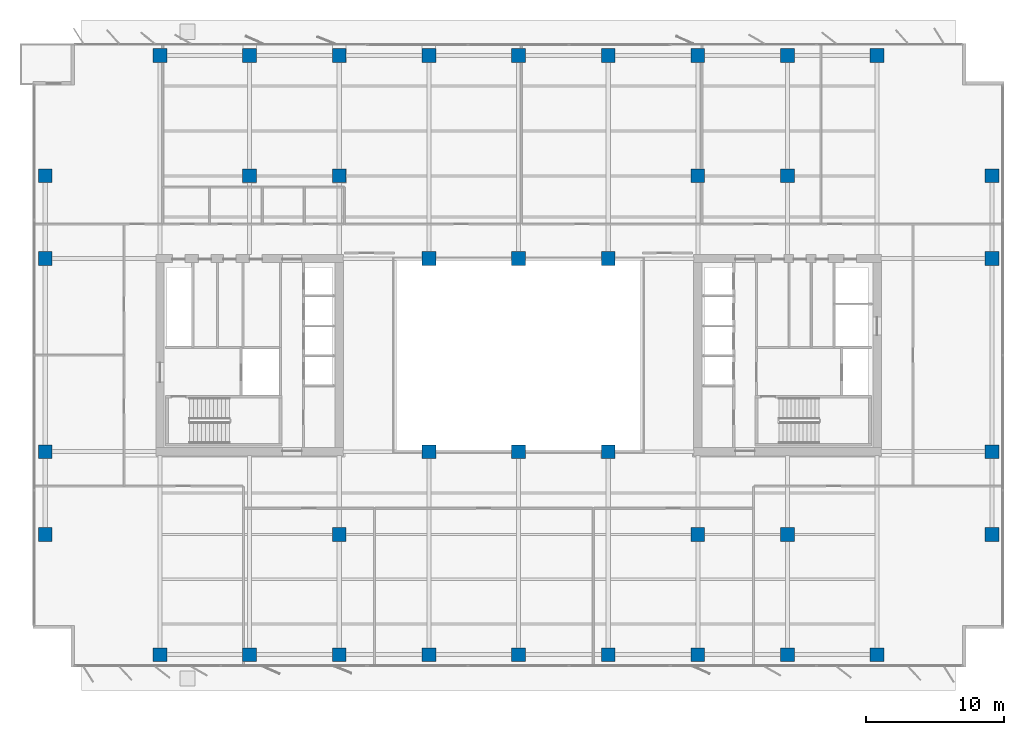
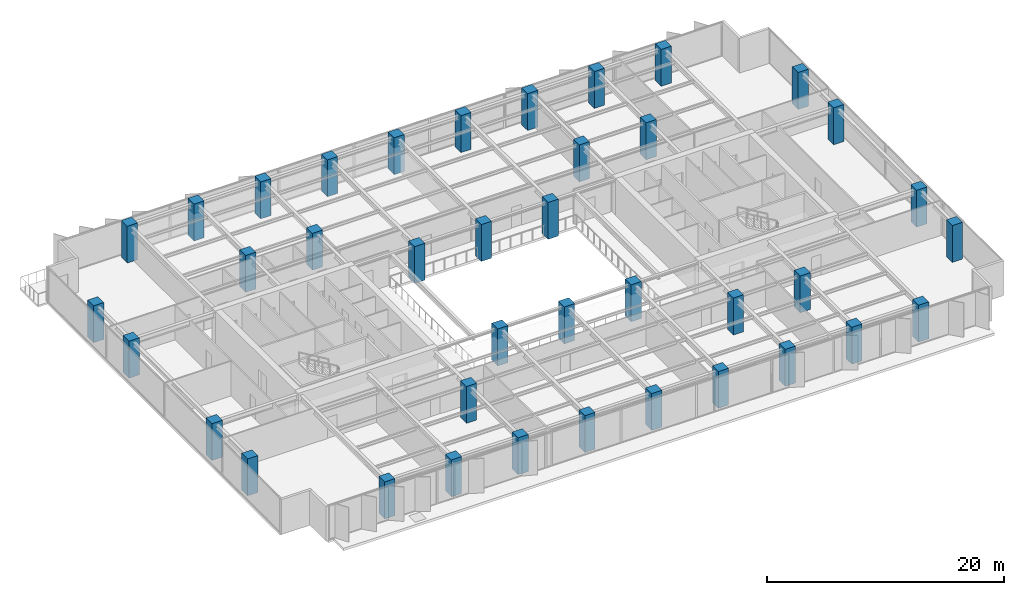
# One storey, part 1 of 22: 39 columns.
"""IFC4 building model written with IfcOpenShell, lengths in metres."""

from ifc_helpers import new_model, si_unit, direction, frame, origin, origin_2d, place, context, subcontext, project, spatial, rectangle, extrude, material, material_profile, profile_set, type_object, element, save


model = new_model("IFC4")

# Units and contexts
model_context = context("Model", 3, precision=1e-05, world=origin(), true_north=direction((0.0, 1.0)))
body_context = subcontext(model_context, "Body", "Model", "MODEL_VIEW")
ifc_project = project(units=[si_unit("LENGTHUNIT", "METRE"), si_unit("AREAUNIT", "SQUARE_METRE"), si_unit("VOLUMEUNIT", "CUBIC_METRE"), si_unit("PLANEANGLEUNIT", "RADIAN"), si_unit("MASSUNIT", "GRAM", prefix="KILO")], contexts=[model_context])

# Site, building, storey
site_placement = place(None, origin())
site = spatial("IfcSite", under=ifc_project, at=site_placement, CompositionType="ELEMENT")
building_placement = place(site_placement, origin())
building = spatial("IfcBuilding", under=site, at=building_placement, Name="Putna Gate Headquarters", CompositionType="ELEMENT")
storey_placement = place(building_placement, frame((0.0, 0.0, 144.199951171875)))
storey = spatial("IfcBuildingStorey", under=building, at=storey_placement, Name="L35", CompositionType="ELEMENT", Elevation=144.199951171875)

# Columns
ifc_material = material(Name="Concrete C50/60", Category="concrete")
ifc_material_profile_1 = material_profile(ifc_material, rectangle(XDim=1.0, YDim=1.0, at=origin_2d()), Name="Concrete C50/60")
ifc_profile_set_1 = profile_set([ifc_material_profile_1], Name="Concrete C50/60")
column_type_1 = type_object("IfcColumnType", Name="COL-RC1000-EXT", PredefinedType="COLUMN", material=ifc_profile_set_1)
for number, where, z_axis, x_axis, name in (
    (1, (13.0, 4.280029296875, 0.0), (0.0, 0.0, 1.0), (1.0, 0.0, 0.0), "L35 Column CP-S13"),
    (2, (13.0, 47.719970703125, 0.0), (0.0, 0.0, 1.0), (1.0, 0.0, 0.0), "L35 Column CP-N13"),
    (3, (19.5, 4.280029296875, 0.0), (0.0, 0.0, 1.0), (1.0, 0.0, 0.0), "L35 Column CP-S19"),
    (4, (19.5, 47.719970703125, 0.0), (0.0, 0.0, 1.0), (1.0, 0.0, 0.0), "L35 Column CP-N19"),
    (5, (26.0, 4.280029296875, 0.0), (0.0, 0.0, 1.0), (1.0, 0.0, 0.0), "L35 Column CP-S26"),
    (6, (26.0, 47.719970703125, 0.0), (0.0, 0.0, 1.0), (1.0, 0.0, 0.0), "L35 Column CP-N26"),
    (7, (32.5, 4.280029296875, 0.0), (0.0, 0.0, 1.0), (1.0, 0.0, 0.0), "L35 Column CP-S32"),
    (8, (32.5, 47.719970703125, 0.0), (0.0, 0.0, 1.0), (1.0, 0.0, 0.0), "L35 Column CP-N32"),
    (9, (39.0, 4.280029296875, 0.0), (0.0, 0.0, 1.0), (1.0, 0.0, 0.0), "L35 Column CP-S39"),
    (10, (39.0, 47.719970703125, 0.0), (0.0, 0.0, 1.0), (1.0, 0.0, 0.0), "L35 Column CP-N39"),
    (11, (45.5, 4.280029296875, 0.0), (0.0, 0.0, 1.0), (1.0, 0.0, 0.0), "L35 Column CP-S45"),
    (12, (45.5, 47.719970703125, 0.0), (0.0, 0.0, 1.0), (1.0, 0.0, 0.0), "L35 Column CP-N45"),
    (13, (52.0, 4.280029296875, 0.0), (0.0, 0.0, 1.0), (1.0, 0.0, 0.0), "L35 Column CP-S52"),
    (14, (52.0, 47.719970703125, 0.0), (0.0, 0.0, 1.0), (1.0, 0.0, 0.0), "L35 Column CP-N52"),
    (15, (58.5, 4.280029296875, 0.0), (0.0, 0.0, 1.0), (1.0, 0.0, 0.0), "L35 Column CP-S58"),
    (16, (58.5, 47.719970703125, 0.0), (0.0, 0.0, 1.0), (1.0, 0.0, 0.0), "L35 Column CP-N58"),
    (17, (65.0, 4.280029296875, 0.0), (0.0, 0.0, 1.0), (1.0, 0.0, 0.0), "L35 Column CP-S65"),
    (18, (65.0, 47.719970703125, 0.0), (0.0, 0.0, 1.0), (1.0, 0.0, 0.0), "L35 Column CP-N65"),
    (19, (4.679931640625, 13.0, 0.0), (0.0, 0.0, 1.0), (1.0, 0.0, 0.0), "L35 Column CP-W13"),
    (20, (73.320068359375, 13.0, 0.0), (0.0, 0.0, 1.0), (1.0, 0.0, 0.0), "L35 Column CP-E13"),
    (21, (4.679931640625, 19.0, 0.0), (0.0, 0.0, 1.0), (1.0, 0.0, 0.0), "L35 Column CP-W19"),
    (22, (73.320068359375, 19.0, 0.0), (0.0, 0.0, 1.0), (1.0, 0.0, 0.0), "L35 Column CP-E19"),
    (23, (4.679931640625, 33.0, 0.0), (0.0, 0.0, 1.0), (1.0, 0.0, 0.0), "L35 Column CP-W33"),
    (24, (73.320068359375, 33.0, 0.0), (0.0, 0.0, 1.0), (1.0, 0.0, 0.0), "L35 Column CP-E33"),
    (25, (4.679931640625, 39.0, 0.0), (0.0, 0.0, 1.0), (1.0, 0.0, 0.0), "L35 Column CP-W39"),
    (26, (73.320068359375, 39.0, 0.0), (0.0, 0.0, 1.0), (1.0, 0.0, 0.0), "L35 Column CP-E39"),
):
    element("IfcColumn", number, at=place(storey_placement, frame(where, z_axis=z_axis, x_axis=x_axis)), inside=storey, type_object=column_type_1, Name=name, PredefinedType="COLUMN", context=body_context, shape_type="SweptSolid", body=[
        extrude(rectangle(XDim=1.0, YDim=1.0, at=origin_2d()), origin(), (0.0, 0.0, 1.0), 3.800048828125),
    ])
ifc_material_profile_2 = material_profile(ifc_material, rectangle(XDim=1.0, YDim=1.0, at=origin_2d()), Name="Concrete C50/60")
ifc_profile_set_2 = profile_set([ifc_material_profile_2], Name="Concrete C50/60")
column_type_2 = type_object("IfcColumnType", Name="COL-RC1000-INT", PredefinedType="COLUMN", material=ifc_profile_set_2)
for number, where, z_axis, x_axis, name in (
    (27, (19.5, 39.0, 0.0), (0.0, 0.0, 1.0), (1.0, 0.0, 0.0), "L35 Column CSI-WN"),
    (28, (58.5, 13.0, 0.0), (0.0, 0.0, 1.0), (1.0, 0.0, 0.0), "L35 Column CSI-ES"),
    (29, (58.5, 39.0, 0.0), (0.0, 0.0, 1.0), (1.0, 0.0, 0.0), "L35 Column CSI-EN"),
    (30, (32.5, 19.0, 0.0), (0.0, 0.0, 1.0), (1.0, 0.0, 0.0), "L35 Column CAI-S32"),
    (31, (32.5, 33.0, 0.0), (0.0, 0.0, 1.0), (1.0, 0.0, 0.0), "L35 Column CAI-N32"),
    (32, (39.0, 19.0, 0.0), (0.0, 0.0, 1.0), (1.0, 0.0, 0.0), "L35 Column CAI-S39"),
    (33, (39.0, 33.0, 0.0), (0.0, 0.0, 1.0), (1.0, 0.0, 0.0), "L35 Column CAI-N39"),
    (34, (45.5, 19.0, 0.0), (0.0, 0.0, 1.0), (1.0, 0.0, 0.0), "L35 Column CAI-S45"),
    (35, (45.5, 33.0, 0.0), (0.0, 0.0, 1.0), (1.0, 0.0, 0.0), "L35 Column CAI-N45"),
    (36, (26.0, 13.0, 0.0), (0.0, 0.0, 1.0), (1.0, 0.0, 0.0), "L35 Column CAP-WS"),
    (37, (26.0, 39.0, 0.0), (0.0, 0.0, 1.0), (1.0, 0.0, 0.0), "L35 Column CAP-WN"),
    (38, (52.0, 13.0, 0.0), (0.0, 0.0, 1.0), (1.0, 0.0, 0.0), "L35 Column CAP-ES"),
    (39, (52.0, 39.0, 0.0), (0.0, 0.0, 1.0), (1.0, 0.0, 0.0), "L35 Column CAP-EN"),
):
    element("IfcColumn", number, at=place(storey_placement, frame(where, z_axis=z_axis, x_axis=x_axis)), inside=storey, type_object=column_type_2, Name=name, PredefinedType="COLUMN", context=body_context, shape_type="SweptSolid", body=[
        extrude(rectangle(XDim=1.0, YDim=1.0, at=origin_2d()), origin(), (0.0, 0.0, 1.0), 3.800048828125),
    ])

save(model, "model.ifc")
